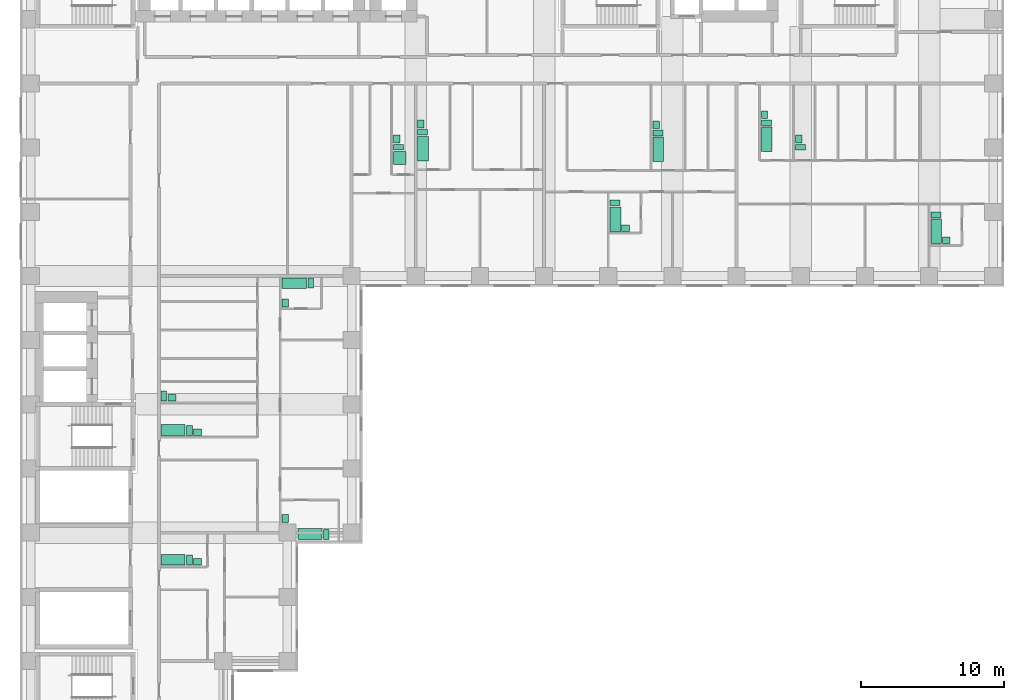
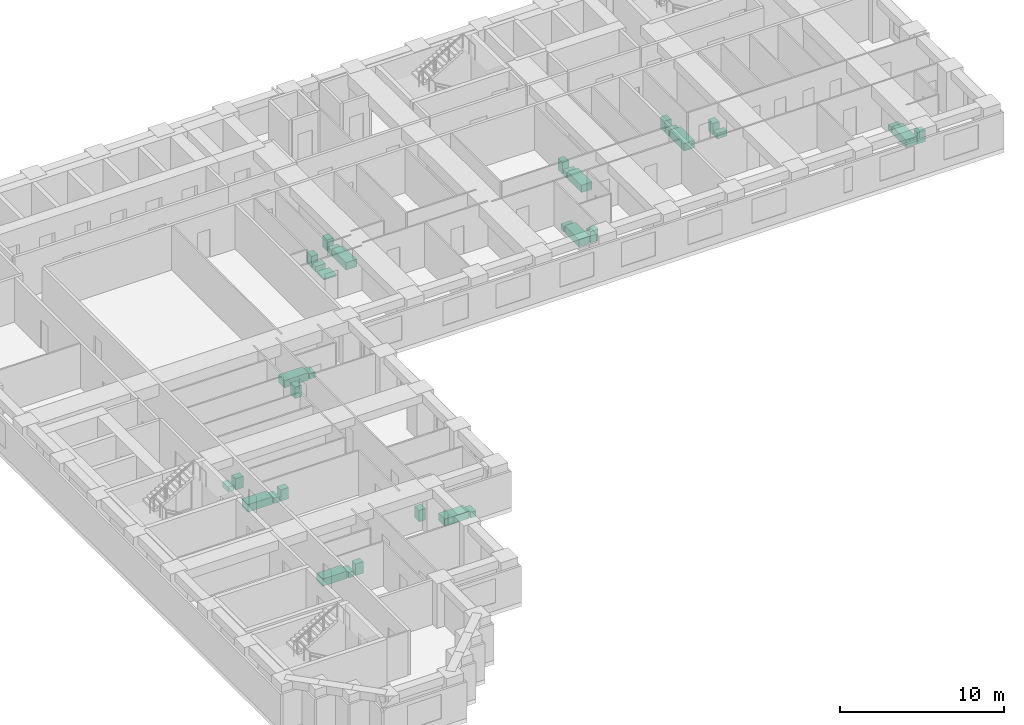
# One storey, part 12 of 12: 34 sanitary terminals.
"""IFC4 building model written with IfcOpenShell, lengths in metres."""

from ifc_helpers import new_model, si_unit, direction, frame, origin, origin_2d, place, context, subcontext, project, spatial, rectangle, extrude, material, type_object, element, save


model = new_model("IFC4")

# Units and contexts
model_context = context("Model", 3, precision=1e-05, world=origin(), true_north=direction((0.0, 1.0)))
body_context = subcontext(model_context, "Body", "Model", "MODEL_VIEW")
ifc_project = project(units=[si_unit("LENGTHUNIT", "METRE"), si_unit("AREAUNIT", "SQUARE_METRE"), si_unit("VOLUMEUNIT", "CUBIC_METRE"), si_unit("PLANEANGLEUNIT", "RADIAN"), si_unit("MASSUNIT", "GRAM", prefix="KILO")], contexts=[model_context])

# Site, building, storey
site_placement = place(None, origin())
site = spatial("IfcSite", under=ifc_project, at=site_placement, CompositionType="ELEMENT")
building_placement = place(site_placement, origin())
building = spatial("IfcBuilding", under=site, at=building_placement, Name="Firuza Court", CompositionType="ELEMENT")
storey_placement = place(building_placement, frame((0.0, 0.0, 101.0)))
storey = spatial("IfcBuildingStorey", under=building, at=storey_placement, Name="L25", CompositionType="ELEMENT", Elevation=101.0)

# Sanitary terminals
ifc_material_1 = material(Name="Vitreous china", Category="ceramic")
sanitary_terminal_type_1 = type_object("IfcSanitaryTerminalType", Name="Fixture Bath", PredefinedType="BATH", material=ifc_material_1)
for number, where, z_axis, x_axis, name in (
    (1, (27.5048828125, 44.929931640625, 0.0), (0.0, 0.0, 1.0), (1.0, 0.0, 0.0), "Bath"),
    (2, (44.0048828125, 44.8798828125, 0.0), (0.0, 0.0, 1.0), (1.0, 0.0, 0.0), "Bath"),
    (3, (41.0048828125, 39.97998046875, 0.0), (0.0, 0.0, 1.0), (1.0, 0.0, 0.0), "Bath"),
    (4, (51.60498046875, 45.580078125, 0.0), (0.0, 0.0, 1.0), (1.0, 0.0, 0.0), "Bath"),
    (5, (63.5048828125, 39.1298828125, 0.0), (0.0, 0.0, 1.0), (1.0, 0.0, 0.0), "Bath"),
):
    element("IfcSanitaryTerminal", number, at=place(storey_placement, frame(where, z_axis=z_axis, x_axis=x_axis)), inside=storey, type_object=sanitary_terminal_type_1, Name=name, PredefinedType="BATH", context=body_context, shape_type="SweptSolid", body=[
        extrude(rectangle(XDim=0.75, YDim=1.699951171875, at=origin_2d()), origin(), (0.0, 0.0, 1.0), 0.550048828125),
    ])
for number, where, z_axis, x_axis, name in (
    (6, (9.97998046875, 25.205078125, 0.0), (0.0, 0.0, 1.0), (1.0, 0.0, 0.0), "Bath"),
    (7, (19.580078125, 17.905029296875, 0.0), (0.0, 0.0, 1.0), (1.0, 0.0, 0.0), "Bath"),
    (8, (18.47998046875, 35.4951171875, 0.0), (0.0, 0.0, 1.0), (1.0, 0.0, 0.0), "Bath"),
    (9, (9.97998046875, 16.10498046875, 0.0), (0.0, 0.0, 1.0), (1.0, 0.0, 0.0), "Bath"),
):
    element("IfcSanitaryTerminal", number, at=place(storey_placement, frame(where, z_axis=z_axis, x_axis=x_axis)), inside=storey, type_object=sanitary_terminal_type_1, Name=name, PredefinedType="BATH", context=body_context, shape_type="SweptSolid", body=[
        extrude(rectangle(XDim=1.699951171875, YDim=0.75, at=origin_2d()), origin(), (0.0, 0.0, 1.0), 0.550048828125),
    ])
ifc_material_2 = material(Name="Vitreous china", Category="ceramic")
sanitary_terminal_type_2 = type_object("IfcSanitaryTerminalType", Name="Fixture Shower tray", PredefinedType="SHOWER", material=ifc_material_2)
sanitary_terminal_1_placement = place(storey_placement, frame((25.8798828125, 44.280029296875, 0.0), z_axis=(0.0, 0.0, 1.0), x_axis=(1.0, 0.0, 0.0)))
element("IfcSanitaryTerminal", 10, at=sanitary_terminal_1_placement, inside=storey, type_object=sanitary_terminal_type_2, Name="Shower tray", PredefinedType="SHOWER", context=body_context, shape_type="SweptSolid", body=[
    extrude(rectangle(XDim=0.89990234375, YDim=0.89990234375, at=origin_2d()), origin(), (0.0, 0.0, 1.0), 0.10009765625),
])
ifc_material_3 = material(Name="Vitreous china", Category="ceramic")
sanitary_terminal_type_3 = type_object("IfcSanitaryTerminalType", Name="Fixture WC pan", PredefinedType="TOILETPAN", material=ifc_material_3)
for number, where, z_axis, x_axis, name in (
    (11, (25.780029296875, 45.030029296875, 0.0), (0.0, 0.0, 1.0), (1.0, 0.0, 0.0), "WC pan"),
    (12, (27.47998046875, 46.080078125, 0.0), (0.0, 0.0, 1.0), (1.0, 0.0, 0.0), "WC pan"),
    (13, (43.97998046875, 46.030029296875, 0.0), (0.0, 0.0, 1.0), (1.0, 0.0, 0.0), "WC pan"),
    (14, (40.97998046875, 41.1298828125, 0.0), (0.0, 0.0, 1.0), (1.0, 0.0, 0.0), "WC pan"),
    (15, (51.580078125, 46.72998046875, 0.0), (0.0, 0.0, 1.0), (1.0, 0.0, 0.0), "WC pan"),
    (16, (53.97998046875, 45.030029296875, 0.0), (0.0, 0.0, 1.0), (1.0, 0.0, 0.0), "WC pan"),
    (17, (63.47998046875, 40.280029296875, 0.0), (0.0, 0.0, 1.0), (1.0, 0.0, 0.0), "WC pan"),
):
    element("IfcSanitaryTerminal", number, at=place(storey_placement, frame(where, z_axis=z_axis, x_axis=x_axis)), inside=storey, type_object=sanitary_terminal_type_3, Name=name, PredefinedType="TOILETPAN", context=body_context, shape_type="SweptSolid", body=[
        extrude(rectangle(XDim=0.699951171875, YDim=0.39990234375, at=origin_2d()), origin(), (0.0, 0.0, 1.0), 0.39990234375),
    ])
for number, where, z_axis, x_axis, name in (
    (18, (11.1298828125, 25.179931640625, 0.0), (0.0, 0.0, 1.0), (1.0, 0.0, 0.0), "WC pan"),
    (19, (9.330078125, 27.580078125, 0.0), (0.0, 0.0, 1.0), (1.0, 0.0, 0.0), "WC pan"),
    (20, (20.72998046875, 17.8798828125, 0.0), (0.0, 0.0, 1.0), (1.0, 0.0, 0.0), "WC pan"),
    (21, (19.6298828125, 35.52001953125, 0.0), (0.0, 0.0, 1.0), (1.0, 0.0, 0.0), "WC pan"),
    (22, (11.1298828125, 16.080078125, 0.0), (0.0, 0.0, 1.0), (1.0, 0.0, 0.0), "WC pan"),
):
    element("IfcSanitaryTerminal", number, at=place(storey_placement, frame(where, z_axis=z_axis, x_axis=x_axis)), inside=storey, type_object=sanitary_terminal_type_3, Name=name, PredefinedType="TOILETPAN", context=body_context, shape_type="SweptSolid", body=[
        extrude(rectangle(XDim=0.39990234375, YDim=0.699951171875, at=origin_2d()), origin(), (0.0, 0.0, 1.0), 0.39990234375),
    ])
ifc_material_4 = material(Name="Vitreous china", Category="ceramic")
sanitary_terminal_type_4 = type_object("IfcSanitaryTerminalType", Name="Fixture Washbasin", PredefinedType="WASHHANDBASIN", material=ifc_material_4)
for number, where, z_axis, x_axis, name in (
    (23, (25.655029296875, 45.60498046875, 0.0), (0.0, 0.0, 1.0), (1.0, 0.0, 0.0), "Washbasin"),
    (24, (27.35498046875, 46.655029296875, 0.0), (0.0, 0.0, 1.0), (1.0, 0.0, 0.0), "Washbasin"),
    (25, (43.85498046875, 46.60498046875, 0.0), (0.0, 0.0, 1.0), (1.0, 0.0, 0.0), "Washbasin"),
):
    element("IfcSanitaryTerminal", number, at=place(storey_placement, frame(where, z_axis=z_axis, x_axis=x_axis)), inside=storey, type_object=sanitary_terminal_type_4, Name=name, PredefinedType="WASHHANDBASIN", context=body_context, shape_type="SweptSolid", body=[
        extrude(rectangle(XDim=0.449951171875, YDim=0.550048828125, at=origin_2d()), origin(), (0.0, 0.0, 1.0), 0.85009765625),
    ])
sanitary_terminal_2_placement = place(storey_placement, frame((41.705078125, 39.35498046875, 0.0), z_axis=(0.0, 0.0, 1.0), x_axis=(1.0, 0.0, 0.0)))
element("IfcSanitaryTerminal", 26, at=sanitary_terminal_2_placement, inside=storey, type_object=sanitary_terminal_type_4, Name="Washbasin", PredefinedType="WASHHANDBASIN", context=body_context, shape_type="SweptSolid", body=[
    extrude(rectangle(XDim=0.550048828125, YDim=0.449951171875, at=origin_2d()), origin(), (0.0, 0.0, 1.0), 0.85009765625),
])
for number, where, z_axis, x_axis, name in (
    (27, (51.455078125, 47.304931640625, 0.0), (0.0, 0.0, 1.0), (1.0, 0.0, 0.0), "Washbasin"),
    (28, (53.85498046875, 45.60498046875, 0.0), (0.0, 0.0, 1.0), (1.0, 0.0, 0.0), "Washbasin"),
):
    element("IfcSanitaryTerminal", number, at=place(storey_placement, frame(where, z_axis=z_axis, x_axis=x_axis)), inside=storey, type_object=sanitary_terminal_type_4, Name=name, PredefinedType="WASHHANDBASIN", context=body_context, shape_type="SweptSolid", body=[
        extrude(rectangle(XDim=0.449951171875, YDim=0.550048828125, at=origin_2d()), origin(), (0.0, 0.0, 1.0), 0.85009765625),
    ])
for number, where, z_axis, x_axis, name in (
    (29, (64.205078125, 38.5048828125, 0.0), (0.0, 0.0, 1.0), (1.0, 0.0, 0.0), "Washbasin"),
    (30, (11.705078125, 25.054931640625, 0.0), (0.0, 0.0, 1.0), (1.0, 0.0, 0.0), "Washbasin"),
    (31, (9.905029296875, 27.455078125, 0.0), (0.0, 0.0, 1.0), (1.0, 0.0, 0.0), "Washbasin"),
):
    element("IfcSanitaryTerminal", number, at=place(storey_placement, frame(where, z_axis=z_axis, x_axis=x_axis)), inside=storey, type_object=sanitary_terminal_type_4, Name=name, PredefinedType="WASHHANDBASIN", context=body_context, shape_type="SweptSolid", body=[
        extrude(rectangle(XDim=0.550048828125, YDim=0.449951171875, at=origin_2d()), origin(), (0.0, 0.0, 1.0), 0.85009765625),
    ])
for number, where, z_axis, x_axis, name in (
    (32, (17.85498046875, 19.0048828125, 0.0), (0.0, 0.0, 1.0), (1.0, 0.0, 0.0), "Washbasin"),
    (33, (17.85498046875, 34.10498046875, 0.0), (0.0, 0.0, 1.0), (1.0, 0.0, 0.0), "Washbasin"),
):
    element("IfcSanitaryTerminal", number, at=place(storey_placement, frame(where, z_axis=z_axis, x_axis=x_axis)), inside=storey, type_object=sanitary_terminal_type_4, Name=name, PredefinedType="WASHHANDBASIN", context=body_context, shape_type="SweptSolid", body=[
        extrude(rectangle(XDim=0.449951171875, YDim=0.550048828125, at=origin_2d()), origin(), (0.0, 0.0, 1.0), 0.85009765625),
    ])
sanitary_terminal_3_placement = place(storey_placement, frame((11.705078125, 15.955078125, 0.0), z_axis=(0.0, 0.0, 1.0), x_axis=(1.0, 0.0, 0.0)))
element("IfcSanitaryTerminal", 34, at=sanitary_terminal_3_placement, inside=storey, type_object=sanitary_terminal_type_4, Name="Washbasin", PredefinedType="WASHHANDBASIN", context=body_context, shape_type="SweptSolid", body=[
    extrude(rectangle(XDim=0.550048828125, YDim=0.449951171875, at=origin_2d()), origin(), (0.0, 0.0, 1.0), 0.85009765625),
])

save(model, "model.ifc")
